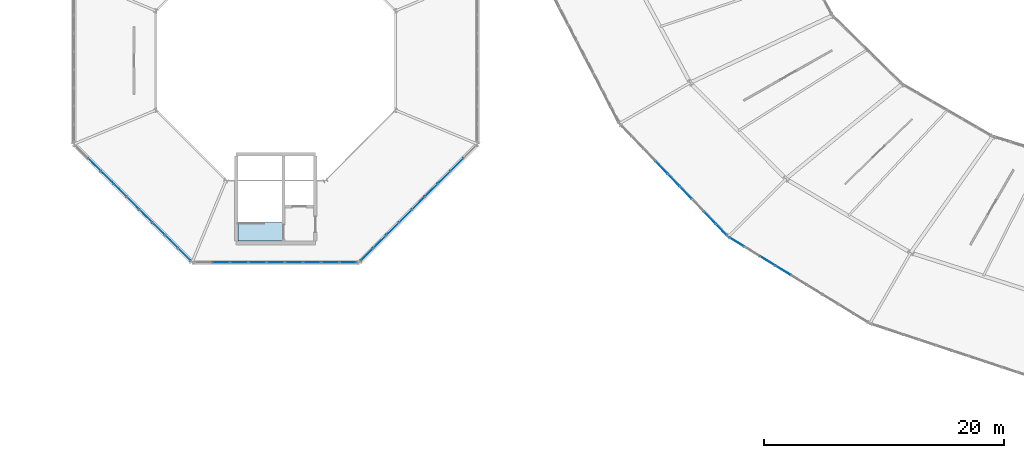
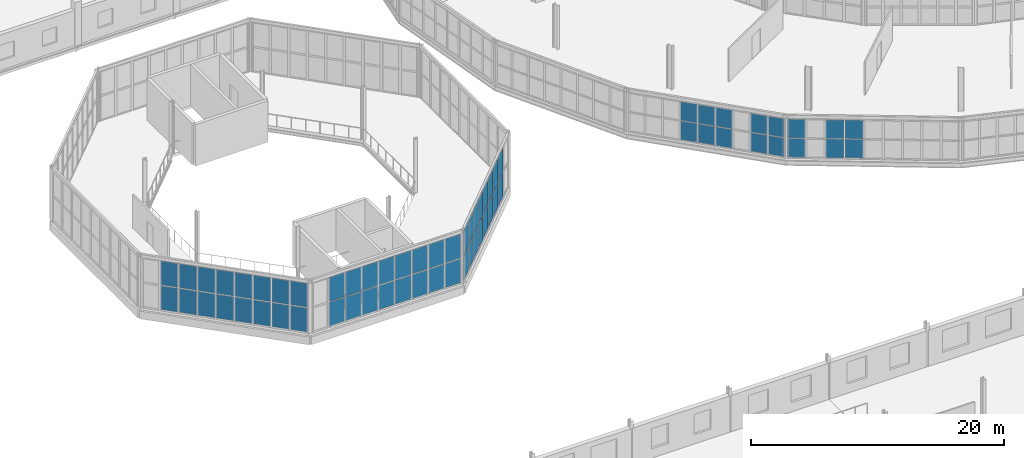
# One storey, part 107 of 161: 64 plates, 1 slab, 5 elements without a shape of their own.
"""IFC4 building model written with IfcOpenShell, lengths in metres."""

from ifc_helpers import new_model, si_unit, direction, frame, origin, origin_2d, place, context, subcontext, project, spatial, polyline, rectangle, outline, extrude, material, layer, layer_set, type_object, element, aggregate, save


model = new_model("IFC4")

# Units and contexts
model_context = context("Model", 3, precision=1e-05, world=origin(), true_north=direction((0.0, 1.0)))
body_context = subcontext(model_context, "Body", "Model", "MODEL_VIEW")
ifc_project = project(units=[si_unit("LENGTHUNIT", "METRE"), si_unit("AREAUNIT", "SQUARE_METRE"), si_unit("VOLUMEUNIT", "CUBIC_METRE"), si_unit("PLANEANGLEUNIT", "RADIAN"), si_unit("MASSUNIT", "GRAM", prefix="KILO")], contexts=[model_context])

# Site, building, storey
site_placement = place(None, origin())
site = spatial("IfcSite", under=ifc_project, at=site_placement, CompositionType="ELEMENT")
building_placement = place(site_placement, origin())
building = spatial("IfcBuilding", under=site, at=building_placement, Name="Kildeholm Park Wholesale Market", CompositionType="ELEMENT")
storey_placement = place(building_placement, frame((0.0, 0.0, 5.39990234375)))
storey = spatial("IfcBuildingStorey", under=building, at=storey_placement, Name="L01", CompositionType="ELEMENT", Elevation=5.39990234375)

# Curtain wall, plates
ifc_material_1 = material(Name="Anodised aluminium and low-E double-glazed glass", Category="aluminium")
curtain_wall_type_1 = type_object("IfcCurtainWallType", Name="Market hall glazed arcade stick curtain wall CW-01", PredefinedType="NOTDEFINED", material=ifc_material_1)
curtain_wall_1_placement = place(storey_placement, origin())
curtain_wall_1 = element("IfcCurtainWall", 1, at=curtain_wall_1_placement, inside=storey, type_object=curtain_wall_type_1, Name="Curtain wall CW-V1-OT-14-1 CW-0069", PredefinedType="NOTDEFINED")
ifc_material_2 = material(Name="Double-glazed low-E insulated glass", Category="glass")
ifc_layer_1 = layer(ifc_material_2, 0.028076171875)
ifc_layer_set_1 = layer_set([ifc_layer_1], Name="Double-glazed low-E insulated glass")
plate_type_1 = type_object("IfcPlateType", Name="Curtain-wall panel CWP-1 28 mm", PredefinedType="CURTAIN_PANEL", material=ifc_layer_set_1)
plate_1_placement = place(storey_placement, frame((53.16064453125, 63.07568359375, 0.06494140625), z_axis=(0.0, 0.0, 1.0), x_axis=(0.69303795493, -0.720901097951, 0.0)))
plate_1 = element("IfcPlate", 2, at=plate_1_placement, type_object=plate_type_1, Name="CW-01 panel 4.1 PLT-1070", PredefinedType="CURTAIN_PANEL", context=body_context, shape_type="SweptSolid", body=[
    extrude(rectangle(XDim=1.378662109375, YDim=0.028076171875, at=origin_2d()), origin(), (0.0, 0.0, 1.0), 1.802490234375),
])
plate_2_placement = place(storey_placement, frame((53.16064453125, 63.07568359375, 1.9326171875), z_axis=(0.0, 0.0, 1.0), x_axis=(0.69303795493, -0.720901097951, 0.0)))
plate_2 = element("IfcPlate", 3, at=plate_2_placement, type_object=plate_type_1, Name="CW-01 panel 4.2 PLT-1071", PredefinedType="CURTAIN_PANEL", context=body_context, shape_type="SweptSolid", body=[
    extrude(rectangle(XDim=1.378662109375, YDim=0.028076171875, at=origin_2d()), origin(), (0.0, 0.0, 1.0), 1.802490234375),
])
plate_3_placement = place(storey_placement, frame((54.160888671875, 62.034912109375, 0.06494140625), z_axis=(0.0, 0.0, 1.0), x_axis=(0.69303795493, -0.720901097951, 0.0)))
plate_3 = element("IfcPlate", 4, at=plate_3_placement, type_object=plate_type_1, Name="CW-01 panel 5.1 PLT-1072", PredefinedType="CURTAIN_PANEL", context=body_context, shape_type="SweptSolid", body=[
    extrude(rectangle(XDim=1.378662109375, YDim=0.028076171875, at=origin_2d()), origin(), (0.0, 0.0, 1.0), 1.802490234375),
])
plate_4_placement = place(storey_placement, frame((54.160888671875, 62.034912109375, 1.9326171875), z_axis=(0.0, 0.0, 1.0), x_axis=(0.69303795493, -0.720901097951, 0.0)))
plate_4 = element("IfcPlate", 5, at=plate_4_placement, type_object=plate_type_1, Name="CW-01 panel 5.2 PLT-1073", PredefinedType="CURTAIN_PANEL", context=body_context, shape_type="SweptSolid", body=[
    extrude(rectangle(XDim=1.378662109375, YDim=0.028076171875, at=origin_2d()), origin(), (0.0, 0.0, 1.0), 1.802490234375),
])
plate_5_placement = place(storey_placement, frame((55.161376953125, 60.994384765625, 0.06494140625), z_axis=(0.0, 0.0, 1.0), x_axis=(0.69303795493, -0.720901097951, 0.0)))
plate_5 = element("IfcPlate", 6, at=plate_5_placement, type_object=plate_type_1, Name="CW-01 panel 6.1 PLT-1074", PredefinedType="CURTAIN_PANEL", context=body_context, shape_type="SweptSolid", body=[
    extrude(rectangle(XDim=1.378662109375, YDim=0.028076171875, at=origin_2d()), origin(), (0.0, 0.0, 1.0), 1.802490234375),
])
plate_6_placement = place(storey_placement, frame((55.161376953125, 60.994384765625, 1.9326171875), z_axis=(0.0, 0.0, 1.0), x_axis=(0.69303795493, -0.720901097951, 0.0)))
plate_6 = element("IfcPlate", 7, at=plate_6_placement, type_object=plate_type_1, Name="CW-01 panel 6.2 PLT-1075", PredefinedType="CURTAIN_PANEL", context=body_context, shape_type="SweptSolid", body=[
    extrude(rectangle(XDim=1.378662109375, YDim=0.028076171875, at=origin_2d()), origin(), (0.0, 0.0, 1.0), 1.802490234375),
])
plate_7_placement = place(storey_placement, frame((57.162353515625, 58.9130859375, 0.06494140625), z_axis=(0.0, 0.0, 1.0), x_axis=(0.69303795493, -0.720901097951, 0.0)))
plate_7 = element("IfcPlate", 8, at=plate_7_placement, type_object=plate_type_1, Name="CW-01 panel 8.1 PLT-1078", PredefinedType="CURTAIN_PANEL", context=body_context, shape_type="SweptSolid", body=[
    extrude(rectangle(XDim=1.378662109375, YDim=0.028076171875, at=origin_2d()), origin(), (0.0, 0.0, 1.0), 1.802490234375),
])
plate_8_placement = place(storey_placement, frame((57.162353515625, 58.9130859375, 1.9326171875), z_axis=(0.0, 0.0, 1.0), x_axis=(0.69303795493, -0.720901097951, 0.0)))
plate_8 = element("IfcPlate", 9, at=plate_8_placement, type_object=plate_type_1, Name="CW-01 panel 8.2 PLT-1079", PredefinedType="CURTAIN_PANEL", context=body_context, shape_type="SweptSolid", body=[
    extrude(rectangle(XDim=1.378662109375, YDim=0.028076171875, at=origin_2d()), origin(), (0.0, 0.0, 1.0), 1.802490234375),
])
plate_9_placement = place(storey_placement, frame((58.151611328125, 57.884033203125, 0.06494140625), z_axis=(0.0, 0.0, 1.0), x_axis=(0.69303795493, -0.720901097951, 0.0)))
plate_9 = element("IfcPlate", 10, at=plate_9_placement, type_object=plate_type_1, Name="CW-01 panel 9.1 PLT-1080", PredefinedType="CURTAIN_PANEL", context=body_context, shape_type="SweptSolid", body=[
    extrude(rectangle(XDim=1.345947265625, YDim=0.028076171875, at=origin_2d()), origin(), (0.0, 0.0, 1.0), 1.802490234375),
])
plate_10_placement = place(storey_placement, frame((58.151611328125, 57.884033203125, 1.9326171875), z_axis=(0.0, 0.0, 1.0), x_axis=(0.69303795493, -0.720901097951, 0.0)))
plate_10 = element("IfcPlate", 11, at=plate_10_placement, type_object=plate_type_1, Name="CW-01 panel 9.2 PLT-1081", PredefinedType="CURTAIN_PANEL", context=body_context, shape_type="SweptSolid", body=[
    extrude(rectangle(XDim=1.345947265625, YDim=0.028076171875, at=origin_2d()), origin(), (0.0, 0.0, 1.0), 1.802490234375),
])
aggregate(curtain_wall_1, [plate_1, plate_2, plate_3, plate_4, plate_5, plate_6, plate_7, plate_8, plate_9, plate_10])

curtain_wall_2_placement = place(storey_placement, origin())
curtain_wall_2 = element("IfcCurtainWall", 12, at=curtain_wall_2_placement, inside=storey, type_object=curtain_wall_type_1, Name="Curtain wall CW-V1-OT-15-1 CW-0074", PredefinedType="NOTDEFINED")
plate_11_placement = place(storey_placement, frame((59.390869140625, 56.89404296875, 0.06494140625), z_axis=(0.0, 0.0, 1.0), x_axis=(0.852771402766, -0.522284342695, 0.0)))
plate_11 = element("IfcPlate", 13, at=plate_11_placement, type_object=plate_type_1, Name="CW-01 panel 1.1 PLT-1126", PredefinedType="CURTAIN_PANEL", context=body_context, shape_type="SweptSolid", body=[
    extrude(rectangle(XDim=1.431884765625, YDim=0.028076171875, at=origin_2d()), origin(), (0.0, 0.0, 1.0), 1.802490234375),
])
plate_12_placement = place(storey_placement, frame((59.390869140625, 56.89404296875, 1.9326171875), z_axis=(0.0, 0.0, 1.0), x_axis=(0.852771402766, -0.522284342695, 0.0)))
plate_12 = element("IfcPlate", 14, at=plate_12_placement, type_object=plate_type_1, Name="CW-01 panel 1.2 PLT-1127", PredefinedType="CURTAIN_PANEL", context=body_context, shape_type="SweptSolid", body=[
    extrude(rectangle(XDim=1.431884765625, YDim=0.028076171875, at=origin_2d()), origin(), (0.0, 0.0, 1.0), 1.802490234375),
])
plate_13_placement = place(storey_placement, frame((61.985595703125, 55.30517578125, 0.06494140625), z_axis=(0.0, 0.0, 1.0), x_axis=(0.852771402766, -0.522284342695, 0.0)))
plate_13 = element("IfcPlate", 15, at=plate_13_placement, type_object=plate_type_1, Name="CW-01 panel 3.1 PLT-1130", PredefinedType="CURTAIN_PANEL", context=body_context, shape_type="SweptSolid", body=[
    extrude(rectangle(XDim=1.46435546875, YDim=0.028076171875, at=origin_2d()), origin(), (0.0, 0.0, 1.0), 1.802490234375),
])
plate_14_placement = place(storey_placement, frame((61.985595703125, 55.30517578125, 1.9326171875), z_axis=(0.0, 0.0, 1.0), x_axis=(0.852771402766, -0.522284342695, 0.0)))
plate_14 = element("IfcPlate", 16, at=plate_14_placement, type_object=plate_type_1, Name="CW-01 panel 3.2 PLT-1131", PredefinedType="CURTAIN_PANEL", context=body_context, shape_type="SweptSolid", body=[
    extrude(rectangle(XDim=1.46435546875, YDim=0.028076171875, at=origin_2d()), origin(), (0.0, 0.0, 1.0), 1.802490234375),
])
plate_15_placement = place(storey_placement, frame((63.289794921875, 54.50634765625, 0.06494140625), z_axis=(0.0, 0.0, 1.0), x_axis=(0.852771402766, -0.522284342695, 0.0)))
plate_15 = element("IfcPlate", 17, at=plate_15_placement, type_object=plate_type_1, Name="CW-01 panel 4.1 PLT-1132", PredefinedType="CURTAIN_PANEL", context=body_context, shape_type="SweptSolid", body=[
    extrude(rectangle(XDim=1.46435546875, YDim=0.028076171875, at=origin_2d()), origin(), (0.0, 0.0, 1.0), 1.802490234375),
])
plate_16_placement = place(storey_placement, frame((63.289794921875, 54.50634765625, 1.9326171875), z_axis=(0.0, 0.0, 1.0), x_axis=(0.852771402766, -0.522284342695, 0.0)))
plate_16 = element("IfcPlate", 18, at=plate_16_placement, type_object=plate_type_1, Name="CW-01 panel 4.2 PLT-1133", PredefinedType="CURTAIN_PANEL", context=body_context, shape_type="SweptSolid", body=[
    extrude(rectangle(XDim=1.46435546875, YDim=0.028076171875, at=origin_2d()), origin(), (0.0, 0.0, 1.0), 1.802490234375),
])
aggregate(curtain_wall_2, [plate_11, plate_12, plate_13, plate_14, plate_15, plate_16])

curtain_wall_type_2 = type_object("IfcCurtainWallType", Name="Clerestory daylight stick curtain wall CW-02", PredefinedType="NOTDEFINED", material=ifc_material_1)
curtain_wall_3_placement = place(storey_placement, origin())
curtain_wall_3 = element("IfcCurtainWall", 19, at=curtain_wall_3_placement, inside=storey, type_object=curtain_wall_type_2, Name="Curtain wall CW-V3-L01-04 CW-0139", PredefinedType="NOTDEFINED")
ifc_material_3 = material(Name="Triple-glazed solar-control glass", Category="glass")
ifc_layer_2 = layer(ifc_material_3, 0.035888671875)
ifc_layer_set_2 = layer_set([ifc_layer_2], Name="Triple-glazed solar-control glass")
plate_type_2 = type_object("IfcPlateType", Name="Curtain-wall panel CWP-2 36 mm", PredefinedType="CURTAIN_PANEL", material=ifc_layer_set_2)
plate_17_placement = place(storey_placement, frame((5.892578125, 63.327392578125, 0.0751953125), z_axis=(0.0, 0.0, 1.0), x_axis=(0.707106781187, -0.707106781187, 0.0)))
plate_17 = element("IfcPlate", 20, at=plate_17_placement, type_object=plate_type_2, Name="CW-02 panel 2.1 PLT-2054", PredefinedType="CURTAIN_PANEL", context=body_context, shape_type="SweptSolid", body=[
    extrude(rectangle(XDim=1.441650390625, YDim=0.035888671875, at=origin_2d()), origin(), (0.0, 0.0, 1.0), 2.3125),
])
plate_18_placement = place(storey_placement, frame((5.892578125, 63.327392578125, 2.462646484375), z_axis=(0.0, 0.0, 1.0), x_axis=(0.707106781187, -0.707106781187, 0.0)))
plate_18 = element("IfcPlate", 21, at=plate_18_placement, type_object=plate_type_2, Name="CW-02 panel 2.2 PLT-2055", PredefinedType="CURTAIN_PANEL", context=body_context, shape_type="SweptSolid", body=[
    extrude(rectangle(XDim=1.441650390625, YDim=0.035888671875, at=origin_2d()), origin(), (0.0, 0.0, 1.0), 2.3125),
])
plate_19_placement = place(storey_placement, frame((6.965087890625, 62.2548828125, 0.0751953125), z_axis=(0.0, 0.0, 1.0), x_axis=(0.707106781187, -0.707106781187, 0.0)))
plate_19 = element("IfcPlate", 22, at=plate_19_placement, type_object=plate_type_2, Name="CW-02 panel 3.1 PLT-2056", PredefinedType="CURTAIN_PANEL", context=body_context, shape_type="SweptSolid", body=[
    extrude(rectangle(XDim=1.441650390625, YDim=0.035888671875, at=origin_2d()), origin(), (0.0, 0.0, 1.0), 2.3125),
])
plate_20_placement = place(storey_placement, frame((6.965087890625, 62.2548828125, 2.462646484375), z_axis=(0.0, 0.0, 1.0), x_axis=(0.707106781187, -0.707106781187, 0.0)))
plate_20 = element("IfcPlate", 23, at=plate_20_placement, type_object=plate_type_2, Name="CW-02 panel 3.2 PLT-2057", PredefinedType="CURTAIN_PANEL", context=body_context, shape_type="SweptSolid", body=[
    extrude(rectangle(XDim=1.441650390625, YDim=0.035888671875, at=origin_2d()), origin(), (0.0, 0.0, 1.0), 2.3125),
])
plate_21_placement = place(storey_placement, frame((8.03759765625, 61.182373046875, 0.0751953125), z_axis=(0.0, 0.0, 1.0), x_axis=(0.707106781187, -0.707106781187, 0.0)))
plate_21 = element("IfcPlate", 24, at=plate_21_placement, type_object=plate_type_2, Name="CW-02 panel 4.1 PLT-2058", PredefinedType="CURTAIN_PANEL", context=body_context, shape_type="SweptSolid", body=[
    extrude(rectangle(XDim=1.441650390625, YDim=0.035888671875, at=origin_2d()), origin(), (0.0, 0.0, 1.0), 2.3125),
])
plate_22_placement = place(storey_placement, frame((8.03759765625, 61.182373046875, 2.462646484375), z_axis=(0.0, 0.0, 1.0), x_axis=(0.707106781187, -0.707106781187, 0.0)))
plate_22 = element("IfcPlate", 25, at=plate_22_placement, type_object=plate_type_2, Name="CW-02 panel 4.2 PLT-2059", PredefinedType="CURTAIN_PANEL", context=body_context, shape_type="SweptSolid", body=[
    extrude(rectangle(XDim=1.441650390625, YDim=0.035888671875, at=origin_2d()), origin(), (0.0, 0.0, 1.0), 2.3125),
])
plate_23_placement = place(storey_placement, frame((9.110107421875, 60.110107421875, 0.0751953125), z_axis=(0.0, 0.0, 1.0), x_axis=(0.707106781187, -0.707106781187, 0.0)))
plate_23 = element("IfcPlate", 26, at=plate_23_placement, type_object=plate_type_2, Name="CW-02 panel 5.1 PLT-2060", PredefinedType="CURTAIN_PANEL", context=body_context, shape_type="SweptSolid", body=[
    extrude(rectangle(XDim=1.441650390625, YDim=0.035888671875, at=origin_2d()), origin(), (0.0, 0.0, 1.0), 2.3125),
])
plate_24_placement = place(storey_placement, frame((9.110107421875, 60.110107421875, 2.462646484375), z_axis=(0.0, 0.0, 1.0), x_axis=(0.707106781187, -0.707106781187, 0.0)))
plate_24 = element("IfcPlate", 27, at=plate_24_placement, type_object=plate_type_2, Name="CW-02 panel 5.2 PLT-2061", PredefinedType="CURTAIN_PANEL", context=body_context, shape_type="SweptSolid", body=[
    extrude(rectangle(XDim=1.441650390625, YDim=0.035888671875, at=origin_2d()), origin(), (0.0, 0.0, 1.0), 2.3125),
])
plate_25_placement = place(storey_placement, frame((10.182373046875, 59.03759765625, 0.0751953125), z_axis=(0.0, 0.0, 1.0), x_axis=(0.707106781187, -0.707106781187, 0.0)))
plate_25 = element("IfcPlate", 28, at=plate_25_placement, type_object=plate_type_2, Name="CW-02 panel 6.1 PLT-2062", PredefinedType="CURTAIN_PANEL", context=body_context, shape_type="SweptSolid", body=[
    extrude(rectangle(XDim=1.441650390625, YDim=0.035888671875, at=origin_2d()), origin(), (0.0, 0.0, 1.0), 2.3125),
])
plate_26_placement = place(storey_placement, frame((10.182373046875, 59.03759765625, 2.462646484375), z_axis=(0.0, 0.0, 1.0), x_axis=(0.707106781187, -0.707106781187, 0.0)))
plate_26 = element("IfcPlate", 29, at=plate_26_placement, type_object=plate_type_2, Name="CW-02 panel 6.2 PLT-2063", PredefinedType="CURTAIN_PANEL", context=body_context, shape_type="SweptSolid", body=[
    extrude(rectangle(XDim=1.441650390625, YDim=0.035888671875, at=origin_2d()), origin(), (0.0, 0.0, 1.0), 2.3125),
])
plate_27_placement = place(storey_placement, frame((11.2548828125, 57.965087890625, 0.0751953125), z_axis=(0.0, 0.0, 1.0), x_axis=(0.707106781187, -0.707106781187, 0.0)))
plate_27 = element("IfcPlate", 30, at=plate_27_placement, type_object=plate_type_2, Name="CW-02 panel 7.1 PLT-2064", PredefinedType="CURTAIN_PANEL", context=body_context, shape_type="SweptSolid", body=[
    extrude(rectangle(XDim=1.441650390625, YDim=0.035888671875, at=origin_2d()), origin(), (0.0, 0.0, 1.0), 2.3125),
])
plate_28_placement = place(storey_placement, frame((11.2548828125, 57.965087890625, 2.462646484375), z_axis=(0.0, 0.0, 1.0), x_axis=(0.707106781187, -0.707106781187, 0.0)))
plate_28 = element("IfcPlate", 31, at=plate_28_placement, type_object=plate_type_2, Name="CW-02 panel 7.2 PLT-2065", PredefinedType="CURTAIN_PANEL", context=body_context, shape_type="SweptSolid", body=[
    extrude(rectangle(XDim=1.441650390625, YDim=0.035888671875, at=origin_2d()), origin(), (0.0, 0.0, 1.0), 2.3125),
])
plate_29_placement = place(storey_placement, frame((12.327392578125, 56.892578125, 0.0751953125), z_axis=(0.0, 0.0, 1.0), x_axis=(0.707106781187, -0.707106781187, 0.0)))
plate_29 = element("IfcPlate", 32, at=plate_29_placement, type_object=plate_type_2, Name="CW-02 panel 8.1 PLT-2066", PredefinedType="CURTAIN_PANEL", context=body_context, shape_type="SweptSolid", body=[
    extrude(rectangle(XDim=1.441650390625, YDim=0.035888671875, at=origin_2d()), origin(), (0.0, 0.0, 1.0), 2.3125),
])
plate_30_placement = place(storey_placement, frame((12.327392578125, 56.892578125, 2.462646484375), z_axis=(0.0, 0.0, 1.0), x_axis=(0.707106781187, -0.707106781187, 0.0)))
plate_30 = element("IfcPlate", 33, at=plate_30_placement, type_object=plate_type_2, Name="CW-02 panel 8.2 PLT-2067", PredefinedType="CURTAIN_PANEL", context=body_context, shape_type="SweptSolid", body=[
    extrude(rectangle(XDim=1.441650390625, YDim=0.035888671875, at=origin_2d()), origin(), (0.0, 0.0, 1.0), 2.3125),
])
plate_31_placement = place(storey_placement, frame((13.386474609375, 55.83349609375, 0.0751953125), z_axis=(0.0, 0.0, 1.0), x_axis=(0.707106781187, -0.707106781187, 0.0)))
plate_31 = element("IfcPlate", 34, at=plate_31_placement, type_object=plate_type_2, Name="CW-02 panel 9.1 PLT-2068", PredefinedType="CURTAIN_PANEL", context=body_context, shape_type="SweptSolid", body=[
    extrude(rectangle(XDim=1.404052734375, YDim=0.035888671875, at=origin_2d()), origin(), (0.0, 0.0, 1.0), 2.3125),
])
plate_32_placement = place(storey_placement, frame((13.386474609375, 55.83349609375, 2.462646484375), z_axis=(0.0, 0.0, 1.0), x_axis=(0.707106781187, -0.707106781187, 0.0)))
plate_32 = element("IfcPlate", 35, at=plate_32_placement, type_object=plate_type_2, Name="CW-02 panel 9.2 PLT-2069", PredefinedType="CURTAIN_PANEL", context=body_context, shape_type="SweptSolid", body=[
    extrude(rectangle(XDim=1.404052734375, YDim=0.035888671875, at=origin_2d()), origin(), (0.0, 0.0, 1.0), 2.3125),
])
aggregate(curtain_wall_3, [plate_17, plate_18, plate_19, plate_20, plate_21, plate_22, plate_23, plate_24, plate_25, plate_26, plate_27, plate_28, plate_29, plate_30, plate_31, plate_32])

curtain_wall_4_placement = place(storey_placement, origin())
curtain_wall_4 = element("IfcCurtainWall", 36, at=curtain_wall_4_placement, inside=storey, type_object=curtain_wall_type_2, Name="Curtain wall CW-V3-L01-05 CW-0140", PredefinedType="NOTDEFINED")
plate_33_placement = place(storey_placement, frame((16.449951171875, 55.18505859375, 0.0751953125), z_axis=(0.0, 0.0, 1.0), x_axis=(1.0, 0.0, 0.0)))
plate_33 = element("IfcPlate", 37, at=plate_33_placement, type_object=plate_type_2, Name="CW-02 panel 2.1 PLT-2072", PredefinedType="CURTAIN_PANEL", context=body_context, shape_type="SweptSolid", body=[
    extrude(rectangle(XDim=1.441650390625, YDim=0.035888671875, at=origin_2d()), origin(), (0.0, 0.0, 1.0), 2.3125),
])
plate_34_placement = place(storey_placement, frame((16.449951171875, 55.18505859375, 2.462646484375), z_axis=(0.0, 0.0, 1.0), x_axis=(1.0, 0.0, 0.0)))
plate_34 = element("IfcPlate", 38, at=plate_34_placement, type_object=plate_type_2, Name="CW-02 panel 2.2 PLT-2073", PredefinedType="CURTAIN_PANEL", context=body_context, shape_type="SweptSolid", body=[
    extrude(rectangle(XDim=1.441650390625, YDim=0.035888671875, at=origin_2d()), origin(), (0.0, 0.0, 1.0), 2.3125),
])
plate_35_placement = place(storey_placement, frame((17.966552734375, 55.18505859375, 0.0751953125), z_axis=(0.0, 0.0, 1.0), x_axis=(1.0, 0.0, 0.0)))
plate_35 = element("IfcPlate", 39, at=plate_35_placement, type_object=plate_type_2, Name="CW-02 panel 3.1 PLT-2074", PredefinedType="CURTAIN_PANEL", context=body_context, shape_type="SweptSolid", body=[
    extrude(rectangle(XDim=1.441650390625, YDim=0.035888671875, at=origin_2d()), origin(), (0.0, 0.0, 1.0), 2.3125),
])
plate_36_placement = place(storey_placement, frame((17.966552734375, 55.18505859375, 2.462646484375), z_axis=(0.0, 0.0, 1.0), x_axis=(1.0, 0.0, 0.0)))
plate_36 = element("IfcPlate", 40, at=plate_36_placement, type_object=plate_type_2, Name="CW-02 panel 3.2 PLT-2075", PredefinedType="CURTAIN_PANEL", context=body_context, shape_type="SweptSolid", body=[
    extrude(rectangle(XDim=1.441650390625, YDim=0.035888671875, at=origin_2d()), origin(), (0.0, 0.0, 1.0), 2.3125),
])
plate_37_placement = place(storey_placement, frame((19.4833984375, 55.18505859375, 0.0751953125), z_axis=(0.0, 0.0, 1.0), x_axis=(1.0, 0.0, 0.0)))
plate_37 = element("IfcPlate", 41, at=plate_37_placement, type_object=plate_type_2, Name="CW-02 panel 4.1 PLT-2076", PredefinedType="CURTAIN_PANEL", context=body_context, shape_type="SweptSolid", body=[
    extrude(rectangle(XDim=1.441650390625, YDim=0.035888671875, at=origin_2d()), origin(), (0.0, 0.0, 1.0), 2.3125),
])
plate_38_placement = place(storey_placement, frame((19.4833984375, 55.18505859375, 2.462646484375), z_axis=(0.0, 0.0, 1.0), x_axis=(1.0, 0.0, 0.0)))
plate_38 = element("IfcPlate", 42, at=plate_38_placement, type_object=plate_type_2, Name="CW-02 panel 4.2 PLT-2077", PredefinedType="CURTAIN_PANEL", context=body_context, shape_type="SweptSolid", body=[
    extrude(rectangle(XDim=1.441650390625, YDim=0.035888671875, at=origin_2d()), origin(), (0.0, 0.0, 1.0), 2.3125),
])
plate_39_placement = place(storey_placement, frame((21.0, 55.18505859375, 0.0751953125), z_axis=(0.0, 0.0, 1.0), x_axis=(1.0, 0.0, 0.0)))
plate_39 = element("IfcPlate", 43, at=plate_39_placement, type_object=plate_type_2, Name="CW-02 panel 5.1 PLT-2078", PredefinedType="CURTAIN_PANEL", context=body_context, shape_type="SweptSolid", body=[
    extrude(rectangle(XDim=1.441650390625, YDim=0.035888671875, at=origin_2d()), origin(), (0.0, 0.0, 1.0), 2.3125),
])
plate_40_placement = place(storey_placement, frame((21.0, 55.18505859375, 2.462646484375), z_axis=(0.0, 0.0, 1.0), x_axis=(1.0, 0.0, 0.0)))
plate_40 = element("IfcPlate", 44, at=plate_40_placement, type_object=plate_type_2, Name="CW-02 panel 5.2 PLT-2079", PredefinedType="CURTAIN_PANEL", context=body_context, shape_type="SweptSolid", body=[
    extrude(rectangle(XDim=1.441650390625, YDim=0.035888671875, at=origin_2d()), origin(), (0.0, 0.0, 1.0), 2.3125),
])
plate_41_placement = place(storey_placement, frame((22.5166015625, 55.18505859375, 0.0751953125), z_axis=(0.0, 0.0, 1.0), x_axis=(1.0, 0.0, 0.0)))
plate_41 = element("IfcPlate", 45, at=plate_41_placement, type_object=plate_type_2, Name="CW-02 panel 6.1 PLT-2080", PredefinedType="CURTAIN_PANEL", context=body_context, shape_type="SweptSolid", body=[
    extrude(rectangle(XDim=1.441650390625, YDim=0.035888671875, at=origin_2d()), origin(), (0.0, 0.0, 1.0), 2.3125),
])
plate_42_placement = place(storey_placement, frame((22.5166015625, 55.18505859375, 2.462646484375), z_axis=(0.0, 0.0, 1.0), x_axis=(1.0, 0.0, 0.0)))
plate_42 = element("IfcPlate", 46, at=plate_42_placement, type_object=plate_type_2, Name="CW-02 panel 6.2 PLT-2081", PredefinedType="CURTAIN_PANEL", context=body_context, shape_type="SweptSolid", body=[
    extrude(rectangle(XDim=1.441650390625, YDim=0.035888671875, at=origin_2d()), origin(), (0.0, 0.0, 1.0), 2.3125),
])
plate_43_placement = place(storey_placement, frame((24.033447265625, 55.18505859375, 0.0751953125), z_axis=(0.0, 0.0, 1.0), x_axis=(1.0, 0.0, 0.0)))
plate_43 = element("IfcPlate", 47, at=plate_43_placement, type_object=plate_type_2, Name="CW-02 panel 7.1 PLT-2082", PredefinedType="CURTAIN_PANEL", context=body_context, shape_type="SweptSolid", body=[
    extrude(rectangle(XDim=1.441650390625, YDim=0.035888671875, at=origin_2d()), origin(), (0.0, 0.0, 1.0), 2.3125),
])
plate_44_placement = place(storey_placement, frame((24.033447265625, 55.18505859375, 2.462646484375), z_axis=(0.0, 0.0, 1.0), x_axis=(1.0, 0.0, 0.0)))
plate_44 = element("IfcPlate", 48, at=plate_44_placement, type_object=plate_type_2, Name="CW-02 panel 7.2 PLT-2083", PredefinedType="CURTAIN_PANEL", context=body_context, shape_type="SweptSolid", body=[
    extrude(rectangle(XDim=1.441650390625, YDim=0.035888671875, at=origin_2d()), origin(), (0.0, 0.0, 1.0), 2.3125),
])
plate_45_placement = place(storey_placement, frame((25.550048828125, 55.18505859375, 0.0751953125), z_axis=(0.0, 0.0, 1.0), x_axis=(1.0, 0.0, 0.0)))
plate_45 = element("IfcPlate", 49, at=plate_45_placement, type_object=plate_type_2, Name="CW-02 panel 8.1 PLT-2084", PredefinedType="CURTAIN_PANEL", context=body_context, shape_type="SweptSolid", body=[
    extrude(rectangle(XDim=1.441650390625, YDim=0.035888671875, at=origin_2d()), origin(), (0.0, 0.0, 1.0), 2.3125),
])
plate_46_placement = place(storey_placement, frame((25.550048828125, 55.18505859375, 2.462646484375), z_axis=(0.0, 0.0, 1.0), x_axis=(1.0, 0.0, 0.0)))
plate_46 = element("IfcPlate", 50, at=plate_46_placement, type_object=plate_type_2, Name="CW-02 panel 8.2 PLT-2085", PredefinedType="CURTAIN_PANEL", context=body_context, shape_type="SweptSolid", body=[
    extrude(rectangle(XDim=1.441650390625, YDim=0.035888671875, at=origin_2d()), origin(), (0.0, 0.0, 1.0), 2.3125),
])
plate_47_placement = place(storey_placement, frame((27.0478515625, 55.18505859375, 0.0751953125), z_axis=(0.0, 0.0, 1.0), x_axis=(1.0, 0.0, 0.0)))
plate_47 = element("IfcPlate", 51, at=plate_47_placement, type_object=plate_type_2, Name="CW-02 panel 9.1 PLT-2086", PredefinedType="CURTAIN_PANEL", context=body_context, shape_type="SweptSolid", body=[
    extrude(rectangle(XDim=1.404052734375, YDim=0.035888671875, at=origin_2d()), origin(), (0.0, 0.0, 1.0), 2.3125),
])
plate_48_placement = place(storey_placement, frame((27.0478515625, 55.18505859375, 2.462646484375), z_axis=(0.0, 0.0, 1.0), x_axis=(1.0, 0.0, 0.0)))
plate_48 = element("IfcPlate", 52, at=plate_48_placement, type_object=plate_type_2, Name="CW-02 panel 9.2 PLT-2087", PredefinedType="CURTAIN_PANEL", context=body_context, shape_type="SweptSolid", body=[
    extrude(rectangle(XDim=1.404052734375, YDim=0.035888671875, at=origin_2d()), origin(), (0.0, 0.0, 1.0), 2.3125),
])
aggregate(curtain_wall_4, [plate_33, plate_34, plate_35, plate_36, plate_37, plate_38, plate_39, plate_40, plate_41, plate_42, plate_43, plate_44, plate_45, plate_46, plate_47, plate_48])

curtain_wall_5_placement = place(storey_placement, origin())
curtain_wall_5 = element("IfcCurtainWall", 53, at=curtain_wall_5_placement, inside=storey, type_object=curtain_wall_type_2, Name="Curtain wall CW-V3-L01-06 CW-0141", PredefinedType="NOTDEFINED")
plate_49_placement = place(storey_placement, frame((28.613525390625, 55.83349609375, 0.0751953125), z_axis=(0.0, 0.0, 1.0), x_axis=(0.707106781187, 0.707106781187, 0.0)))
plate_49 = element("IfcPlate", 54, at=plate_49_placement, type_object=plate_type_2, Name="CW-02 panel 1.1 PLT-2088", PredefinedType="CURTAIN_PANEL", context=body_context, shape_type="SweptSolid", body=[
    extrude(rectangle(XDim=1.404052734375, YDim=0.035888671875, at=origin_2d()), origin(), (0.0, 0.0, 1.0), 2.3125),
])
plate_50_placement = place(storey_placement, frame((28.613525390625, 55.83349609375, 2.462646484375), z_axis=(0.0, 0.0, 1.0), x_axis=(0.707106781187, 0.707106781187, 0.0)))
plate_50 = element("IfcPlate", 55, at=plate_50_placement, type_object=plate_type_2, Name="CW-02 panel 1.2 PLT-2089", PredefinedType="CURTAIN_PANEL", context=body_context, shape_type="SweptSolid", body=[
    extrude(rectangle(XDim=1.404052734375, YDim=0.035888671875, at=origin_2d()), origin(), (0.0, 0.0, 1.0), 2.3125),
])
plate_51_placement = place(storey_placement, frame((29.672607421875, 56.892578125, 0.0751953125), z_axis=(0.0, 0.0, 1.0), x_axis=(0.707106781187, 0.707106781187, 0.0)))
plate_51 = element("IfcPlate", 56, at=plate_51_placement, type_object=plate_type_2, Name="CW-02 panel 2.1 PLT-2090", PredefinedType="CURTAIN_PANEL", context=body_context, shape_type="SweptSolid", body=[
    extrude(rectangle(XDim=1.441650390625, YDim=0.035888671875, at=origin_2d()), origin(), (0.0, 0.0, 1.0), 2.3125),
])
plate_52_placement = place(storey_placement, frame((29.672607421875, 56.892578125, 2.462646484375), z_axis=(0.0, 0.0, 1.0), x_axis=(0.707106781187, 0.707106781187, 0.0)))
plate_52 = element("IfcPlate", 57, at=plate_52_placement, type_object=plate_type_2, Name="CW-02 panel 2.2 PLT-2091", PredefinedType="CURTAIN_PANEL", context=body_context, shape_type="SweptSolid", body=[
    extrude(rectangle(XDim=1.441650390625, YDim=0.035888671875, at=origin_2d()), origin(), (0.0, 0.0, 1.0), 2.3125),
])
plate_53_placement = place(storey_placement, frame((30.7451171875, 57.965087890625, 0.0751953125), z_axis=(0.0, 0.0, 1.0), x_axis=(0.707106781187, 0.707106781187, 0.0)))
plate_53 = element("IfcPlate", 58, at=plate_53_placement, type_object=plate_type_2, Name="CW-02 panel 3.1 PLT-2092", PredefinedType="CURTAIN_PANEL", context=body_context, shape_type="SweptSolid", body=[
    extrude(rectangle(XDim=1.441650390625, YDim=0.035888671875, at=origin_2d()), origin(), (0.0, 0.0, 1.0), 2.3125),
])
plate_54_placement = place(storey_placement, frame((30.7451171875, 57.965087890625, 2.462646484375), z_axis=(0.0, 0.0, 1.0), x_axis=(0.707106781187, 0.707106781187, 0.0)))
plate_54 = element("IfcPlate", 59, at=plate_54_placement, type_object=plate_type_2, Name="CW-02 panel 3.2 PLT-2093", PredefinedType="CURTAIN_PANEL", context=body_context, shape_type="SweptSolid", body=[
    extrude(rectangle(XDim=1.441650390625, YDim=0.035888671875, at=origin_2d()), origin(), (0.0, 0.0, 1.0), 2.3125),
])
plate_55_placement = place(storey_placement, frame((31.817626953125, 59.03759765625, 0.0751953125), z_axis=(0.0, 0.0, 1.0), x_axis=(0.707106781187, 0.707106781187, 0.0)))
plate_55 = element("IfcPlate", 60, at=plate_55_placement, type_object=plate_type_2, Name="CW-02 panel 4.1 PLT-2094", PredefinedType="CURTAIN_PANEL", context=body_context, shape_type="SweptSolid", body=[
    extrude(rectangle(XDim=1.441650390625, YDim=0.035888671875, at=origin_2d()), origin(), (0.0, 0.0, 1.0), 2.3125),
])
plate_56_placement = place(storey_placement, frame((31.817626953125, 59.03759765625, 2.462646484375), z_axis=(0.0, 0.0, 1.0), x_axis=(0.707106781187, 0.707106781187, 0.0)))
plate_56 = element("IfcPlate", 61, at=plate_56_placement, type_object=plate_type_2, Name="CW-02 panel 4.2 PLT-2095", PredefinedType="CURTAIN_PANEL", context=body_context, shape_type="SweptSolid", body=[
    extrude(rectangle(XDim=1.441650390625, YDim=0.035888671875, at=origin_2d()), origin(), (0.0, 0.0, 1.0), 2.3125),
])
plate_57_placement = place(storey_placement, frame((32.889892578125, 60.110107421875, 0.0751953125), z_axis=(0.0, 0.0, 1.0), x_axis=(0.707106781187, 0.707106781187, 0.0)))
plate_57 = element("IfcPlate", 62, at=plate_57_placement, type_object=plate_type_2, Name="CW-02 panel 5.1 PLT-2096", PredefinedType="CURTAIN_PANEL", context=body_context, shape_type="SweptSolid", body=[
    extrude(rectangle(XDim=1.441650390625, YDim=0.035888671875, at=origin_2d()), origin(), (0.0, 0.0, 1.0), 2.3125),
])
plate_58_placement = place(storey_placement, frame((32.889892578125, 60.110107421875, 2.462646484375), z_axis=(0.0, 0.0, 1.0), x_axis=(0.707106781187, 0.707106781187, 0.0)))
plate_58 = element("IfcPlate", 63, at=plate_58_placement, type_object=plate_type_2, Name="CW-02 panel 5.2 PLT-2097", PredefinedType="CURTAIN_PANEL", context=body_context, shape_type="SweptSolid", body=[
    extrude(rectangle(XDim=1.441650390625, YDim=0.035888671875, at=origin_2d()), origin(), (0.0, 0.0, 1.0), 2.3125),
])
plate_59_placement = place(storey_placement, frame((33.96240234375, 61.182373046875, 0.0751953125), z_axis=(0.0, 0.0, 1.0), x_axis=(0.707106781187, 0.707106781187, 0.0)))
plate_59 = element("IfcPlate", 64, at=plate_59_placement, type_object=plate_type_2, Name="CW-02 panel 6.1 PLT-2098", PredefinedType="CURTAIN_PANEL", context=body_context, shape_type="SweptSolid", body=[
    extrude(rectangle(XDim=1.441650390625, YDim=0.035888671875, at=origin_2d()), origin(), (0.0, 0.0, 1.0), 2.3125),
])
plate_60_placement = place(storey_placement, frame((33.96240234375, 61.182373046875, 2.462646484375), z_axis=(0.0, 0.0, 1.0), x_axis=(0.707106781187, 0.707106781187, 0.0)))
plate_60 = element("IfcPlate", 65, at=plate_60_placement, type_object=plate_type_2, Name="CW-02 panel 6.2 PLT-2099", PredefinedType="CURTAIN_PANEL", context=body_context, shape_type="SweptSolid", body=[
    extrude(rectangle(XDim=1.441650390625, YDim=0.035888671875, at=origin_2d()), origin(), (0.0, 0.0, 1.0), 2.3125),
])
plate_61_placement = place(storey_placement, frame((35.034912109375, 62.2548828125, 0.0751953125), z_axis=(0.0, 0.0, 1.0), x_axis=(0.707106781187, 0.707106781187, 0.0)))
plate_61 = element("IfcPlate", 66, at=plate_61_placement, type_object=plate_type_2, Name="CW-02 panel 7.1 PLT-2100", PredefinedType="CURTAIN_PANEL", context=body_context, shape_type="SweptSolid", body=[
    extrude(rectangle(XDim=1.441650390625, YDim=0.035888671875, at=origin_2d()), origin(), (0.0, 0.0, 1.0), 2.3125),
])
plate_62_placement = place(storey_placement, frame((35.034912109375, 62.2548828125, 2.462646484375), z_axis=(0.0, 0.0, 1.0), x_axis=(0.707106781187, 0.707106781187, 0.0)))
plate_62 = element("IfcPlate", 67, at=plate_62_placement, type_object=plate_type_2, Name="CW-02 panel 7.2 PLT-2101", PredefinedType="CURTAIN_PANEL", context=body_context, shape_type="SweptSolid", body=[
    extrude(rectangle(XDim=1.441650390625, YDim=0.035888671875, at=origin_2d()), origin(), (0.0, 0.0, 1.0), 2.3125),
])
plate_63_placement = place(storey_placement, frame((36.107421875, 63.327392578125, 0.0751953125), z_axis=(0.0, 0.0, 1.0), x_axis=(0.707106781187, 0.707106781187, 0.0)))
plate_63 = element("IfcPlate", 68, at=plate_63_placement, type_object=plate_type_2, Name="CW-02 panel 8.1 PLT-2102", PredefinedType="CURTAIN_PANEL", context=body_context, shape_type="SweptSolid", body=[
    extrude(rectangle(XDim=1.441650390625, YDim=0.035888671875, at=origin_2d()), origin(), (0.0, 0.0, 1.0), 2.3125),
])
plate_64_placement = place(storey_placement, frame((36.107421875, 63.327392578125, 2.462646484375), z_axis=(0.0, 0.0, 1.0), x_axis=(0.707106781187, 0.707106781187, 0.0)))
plate_64 = element("IfcPlate", 69, at=plate_64_placement, type_object=plate_type_2, Name="CW-02 panel 8.2 PLT-2103", PredefinedType="CURTAIN_PANEL", context=body_context, shape_type="SweptSolid", body=[
    extrude(rectangle(XDim=1.441650390625, YDim=0.035888671875, at=origin_2d()), origin(), (0.0, 0.0, 1.0), 2.3125),
])
aggregate(curtain_wall_5, [plate_49, plate_50, plate_51, plate_52, plate_53, plate_54, plate_55, plate_56, plate_57, plate_58, plate_59, plate_60, plate_61, plate_62, plate_63, plate_64])

# Slab
ifc_material_4 = material(Name="Concrete C35/45", Category="concrete")
ifc_layer_3 = layer(ifc_material_4, 0.239990234375)
ifc_layer_set_3 = layer_set([ifc_layer_3], Name="Concrete C35/45")
slab_type = type_object("IfcSlabType", Name="Stair landing slab S-LD1 240 mm", PredefinedType="LANDING", material=ifc_layer_set_3)
slab_placement = place(storey_placement, frame((0.0, 0.0, -0.239990234375)))
element("IfcSlab", 70, at=slab_placement, inside=storey, type_object=slab_type, Name="Core C14 stair landing slab L01 SLB-0483", PredefinedType="LANDING", context=body_context, shape_type="SweptSolid", body=[
    extrude(outline(polyline([(17.85009765625, 56.949951171875), (21.64990234375, 56.949951171875), (21.64990234375, 58.5), (17.85009765625, 58.5), (17.85009765625, 56.949951171875)])), origin(), (0.0, 0.0, 1.0), 0.239990234375),
])

save(model, "model.ifc")
